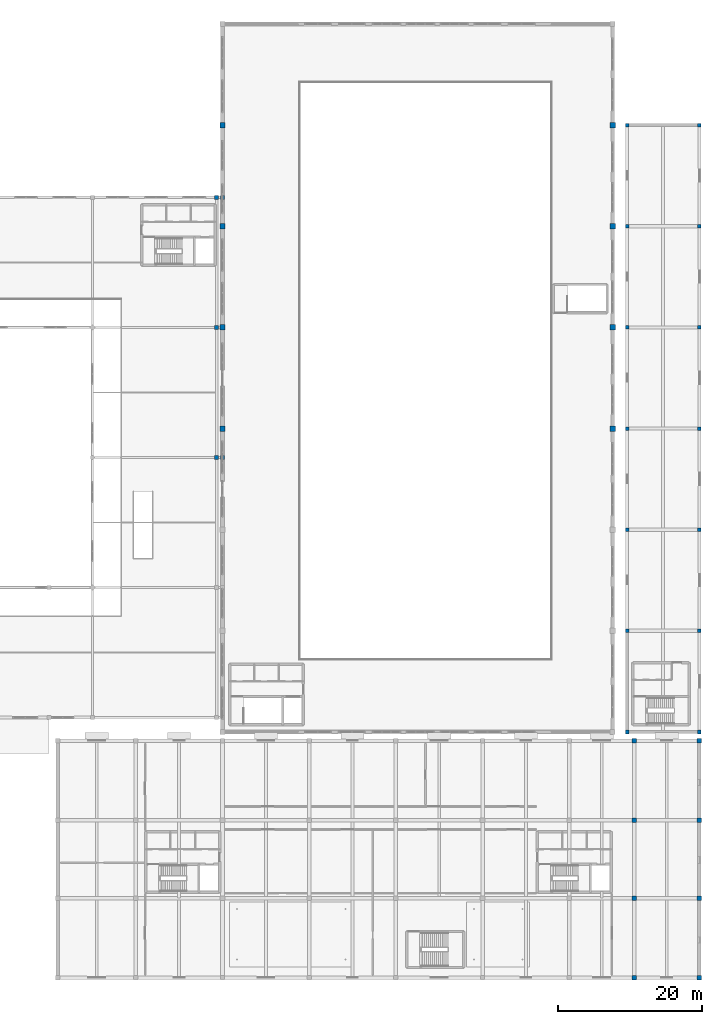
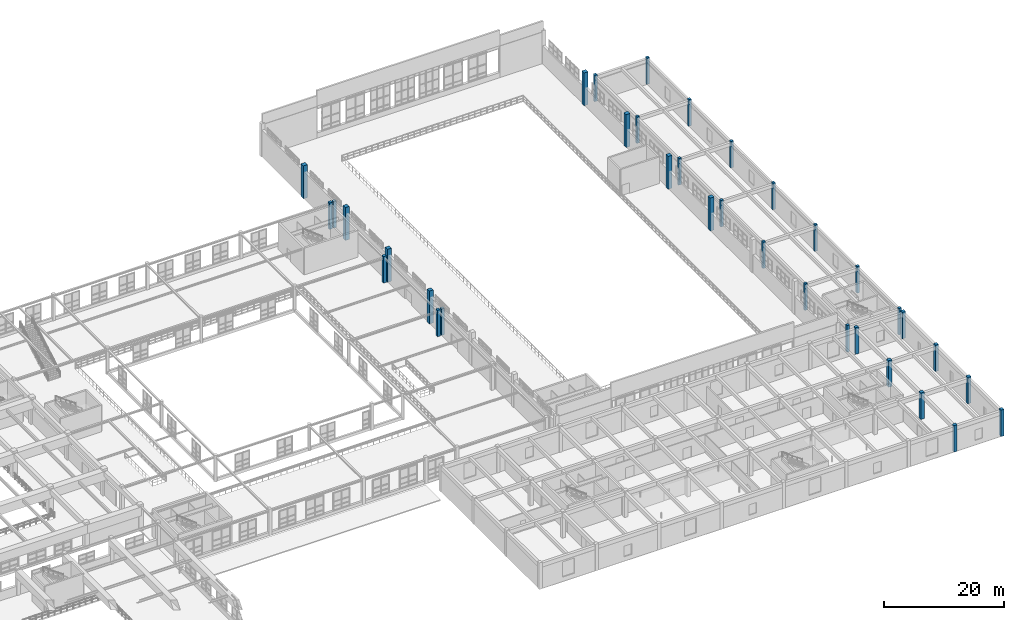
# One storey, part 5 of 197: 35 columns.
"""IFC4 building model written with IfcOpenShell, lengths in metres."""

from ifc_helpers import new_model, si_unit, derived_unit, direction, frame, origin, origin_2d, place, context, subcontext, project, spatial, rectangle, extrude, material, material_profile, profile_set, type_object, element, save


model = new_model("IFC4")

# Units and contexts
model_context = context("Model", 3, precision=1e-05, world=origin(), true_north=direction((0.0, 1.0)))
body_context = subcontext(model_context, "Body", "Model", "MODEL_VIEW")
ifc_project = project(units=[si_unit("LENGTHUNIT", "METRE"), si_unit("AREAUNIT", "SQUARE_METRE"), si_unit("VOLUMEUNIT", "CUBIC_METRE"), si_unit("PLANEANGLEUNIT", "RADIAN"), si_unit("MASSUNIT", "GRAM", prefix="KILO"), derived_unit("THERMALTRANSMITTANCEUNIT", [(si_unit("POWERUNIT", "WATT"), 1), (si_unit("LENGTHUNIT", "METRE"), -2), (si_unit("THERMODYNAMICTEMPERATUREUNIT", "KELVIN"), -1)])], contexts=[model_context])

# Site, building, storey
site_placement = place(None, origin())
site = spatial("IfcSite", under=ifc_project, at=site_placement, CompositionType="ELEMENT")
building_placement = place(site_placement, origin())
building = spatial("IfcBuilding", under=site, at=building_placement, Name="Almenara Railside Exhibition Hall", CompositionType="ELEMENT")
storey_placement = place(building_placement, frame((0.0, 0.0, 5.39990234375)))
storey = spatial("IfcBuildingStorey", under=building, at=storey_placement, Name="L01", CompositionType="ELEMENT", Elevation=5.39990234375)

# Columns
ifc_material_1 = material(Name="Concrete C35/45", Category="concrete")
ifc_material_profile_1 = material_profile(ifc_material_1, rectangle(XDim=0.5, YDim=0.5, at=origin_2d()), Name="RC 500x500")
ifc_profile_set_1 = profile_set([ifc_material_profile_1], Name="Concrete C35/45")
column_type_1 = type_object("IfcColumnType", Name="RC Column 500x500 C35/45", PredefinedType="COLUMN", material=ifc_profile_set_1)
for number, where, z_axis, x_axis, name in (
    (1, (194.0, 34.0, 0.0), (0.0, 0.0, 1.0), (1.0, 0.0, 0.0), "Column 0454"),
    (2, (204.0, 34.0, 0.0), (0.0, 0.0, 1.0), (1.0, 0.0, 0.0), "Column 0457"),
    (3, (194.0, 48.0, 0.0), (0.0, 0.0, 1.0), (1.0, 0.0, 0.0), "Column 0460"),
    (4, (204.0, 48.0, 0.0), (0.0, 0.0, 1.0), (1.0, 0.0, 0.0), "Column 0463"),
    (5, (194.0, 62.0, 0.0), (0.0, 0.0, 1.0), (1.0, 0.0, 0.0), "Column 0466"),
    (6, (204.0, 62.0, 0.0), (0.0, 0.0, 1.0), (1.0, 0.0, 0.0), "Column 0469"),
    (7, (194.0, 76.0, 0.0), (0.0, 0.0, 1.0), (1.0, 0.0, 0.0), "Column 0472"),
    (8, (204.0, 76.0, 0.0), (0.0, 0.0, 1.0), (1.0, 0.0, 0.0), "Column 0475"),
    (9, (194.0, 90.0, 0.0), (0.0, 0.0, 1.0), (1.0, 0.0, 0.0), "Column 0478"),
    (10, (204.0, 90.0, 0.0), (0.0, 0.0, 1.0), (1.0, 0.0, 0.0), "Column 0481"),
    (11, (194.0, 104.0, 0.0), (0.0, 0.0, 1.0), (1.0, 0.0, 0.0), "Column 0484"),
    (12, (204.0, 104.0, 0.0), (0.0, 0.0, 1.0), (1.0, 0.0, 0.0), "Column 0487"),
    (13, (194.0, 118.0, 0.0), (0.0, 0.0, 1.0), (1.0, 0.0, 0.0), "Column 0490"),
    (14, (204.0, 118.0, 0.0), (0.0, 0.0, 1.0), (1.0, 0.0, 0.0), "Column 0493"),
):
    element("IfcColumn", number, at=place(storey_placement, frame(where, z_axis=z_axis, x_axis=x_axis)), inside=storey, type_object=column_type_1, Name=name, PredefinedType="COLUMN", context=body_context, shape_type="SweptSolid", body=[
        extrude(rectangle(XDim=0.5, YDim=0.5, at=origin_2d()), origin(), (0.0, 0.0, 1.0), 5.400146484375),
    ])
ifc_material_profile_2 = material_profile(ifc_material_1, rectangle(XDim=0.550048828125, YDim=0.550048828125, at=origin_2d()), Name="RC 550x550")
ifc_profile_set_2 = profile_set([ifc_material_profile_2], Name="Concrete C35/45")
column_type_2 = type_object("IfcColumnType", Name="RC Column 550x550 C35/45", PredefinedType="COLUMN", material=ifc_profile_set_2)
for number, where, z_axis, x_axis, name in (
    (15, (138.0, 72.0, 0.0), (0.0, 0.0, 1.0), (1.0, 0.0, 0.0), "Column 0242"),
    (16, (138.0, 108.0, 0.0), (0.0, 0.0, 1.0), (1.0, 0.0, 0.0), "Column 0244"),
    (17, (137.199951171875, 72.0, 0.0), (0.0, 0.0, 1.0), (1.0, 0.0, 0.0), "Column 0506"),
    (18, (137.199951171875, 90.0, 0.0), (0.0, 0.0, 1.0), (1.0, 0.0, 0.0), "Column 0508"),
    (19, (137.199951171875, 108.0, 0.0), (0.0, 0.0, 1.0), (1.0, 0.0, 0.0), "Column 0510"),
):
    element("IfcColumn", number, at=place(storey_placement, frame(where, z_axis=z_axis, x_axis=x_axis)), inside=storey, type_object=column_type_2, Name=name, PredefinedType="COLUMN", context=body_context, shape_type="SweptSolid", body=[
        extrude(rectangle(XDim=0.550048828125, YDim=0.550048828125, at=origin_2d()), origin(), (0.0, 0.0, 1.0), 5.400146484375),
    ])
ifc_material_profile_3 = material_profile(ifc_material_1, rectangle(XDim=0.60009765625, YDim=0.60009765625, at=origin_2d()), Name="RC 600x600")
ifc_profile_set_3 = profile_set([ifc_material_profile_3], Name="Concrete C35/45")
column_type_3 = type_object("IfcColumnType", Name="RC Column 600x600 C35/45", PredefinedType="COLUMN", material=ifc_profile_set_3)
for number, where, z_axis, x_axis, name in (
    (20, (195.0, 0.0, 0.0), (0.0, 0.0, 1.0), (1.0, 0.0, 0.0), "Column 0417"),
    (21, (195.0, 32.800048828125, 0.0), (0.0, 0.0, 1.0), (1.0, 0.0, 0.0), "Column 0432"),
    (22, (204.0, 0.0, 0.0), (0.0, 0.0, 1.0), (1.0, 0.0, 0.0), "Column 0436"),
    (23, (204.0, 11.0, 0.0), (0.0, 0.0, 1.0), (1.0, 0.0, 0.0), "Column 0441"),
    (24, (204.0, 21.800048828125, 0.0), (0.0, 0.0, 1.0), (1.0, 0.0, 0.0), "Column 0446"),
    (25, (204.0, 32.800048828125, 0.0), (0.0, 0.0, 1.0), (1.0, 0.0, 0.0), "Column 0451"),
):
    element("IfcColumn", number, at=place(storey_placement, frame(where, z_axis=z_axis, x_axis=x_axis)), inside=storey, type_object=column_type_3, Name=name, PredefinedType="COLUMN", context=body_context, shape_type="SweptSolid", body=[
        extrude(rectangle(XDim=0.60009765625, YDim=0.60009765625, at=origin_2d()), origin(), (0.0, 0.0, 1.0), 5.400146484375),
    ])
ifc_material_profile_4 = material_profile(ifc_material_1, rectangle(XDim=0.64990234375, YDim=0.64990234375, at=origin_2d()), Name="RC 650x650")
ifc_profile_set_4 = profile_set([ifc_material_profile_4], Name="Concrete C35/45")
column_type_4 = type_object("IfcColumnType", Name="RC Column 650x650 C35/45", PredefinedType="COLUMN", material=ifc_profile_set_4)
for number, where, z_axis, x_axis, name in (
    (26, (195.0, 11.0, 0.0), (0.0, 0.0, 1.0), (1.0, 0.0, 0.0), "Column 0422"),
    (27, (195.0, 21.800048828125, 0.0), (0.0, 0.0, 1.0), (1.0, 0.0, 0.0), "Column 0427"),
):
    element("IfcColumn", number, at=place(storey_placement, frame(where, z_axis=z_axis, x_axis=x_axis)), inside=storey, type_object=column_type_4, Name=name, PredefinedType="COLUMN", context=body_context, shape_type="SweptSolid", body=[
        extrude(rectangle(XDim=0.64990234375, YDim=0.64990234375, at=origin_2d()), origin(), (0.0, 0.0, 1.0), 5.400146484375),
    ])
ifc_material_2 = material(Name="Concrete C40/50", Category="concrete")
ifc_material_profile_5 = material_profile(ifc_material_2, rectangle(XDim=0.75, YDim=0.75, at=origin_2d()), Name="RC 750x750")
ifc_profile_set_5 = profile_set([ifc_material_profile_5], Name="Concrete C40/50")
column_type_5 = type_object("IfcColumnType", Name="RC Column 750x750 C40/50", PredefinedType="COLUMN", material=ifc_profile_set_5)
for number, where, z_axis, x_axis, name in (
    (28, (138.0, 76.0, 0.0), (0.0, 0.0, 1.0), (1.0, 0.0, 0.0), "Column 0106"),
    (29, (192.0, 76.0, 0.0), (0.0, 0.0, 1.0), (1.0, 0.0, 0.0), "Column 0108"),
    (30, (138.0, 90.0, 0.0), (0.0, 0.0, 1.0), (1.0, 0.0, 0.0), "Column 0112"),
    (31, (192.0, 90.0, 0.0), (0.0, 0.0, 1.0), (1.0, 0.0, 0.0), "Column 0114"),
    (32, (138.0, 104.0, 0.0), (0.0, 0.0, 1.0), (1.0, 0.0, 0.0), "Column 0118"),
    (33, (192.0, 104.0, 0.0), (0.0, 0.0, 1.0), (1.0, 0.0, 0.0), "Column 0120"),
    (34, (138.0, 118.0, 0.0), (0.0, 0.0, 1.0), (1.0, 0.0, 0.0), "Column 0124"),
    (35, (192.0, 118.0, 0.0), (0.0, 0.0, 1.0), (1.0, 0.0, 0.0), "Column 0126"),
):
    element("IfcColumn", number, at=place(storey_placement, frame(where, z_axis=z_axis, x_axis=x_axis)), inside=storey, type_object=column_type_5, Name=name, PredefinedType="COLUMN", context=body_context, shape_type="SweptSolid", body=[
        extrude(rectangle(XDim=0.75, YDim=0.75, at=origin_2d()), origin(), (0.0, 0.0, 1.0), 6.7001953125),
    ])

save(model, "model.ifc")
